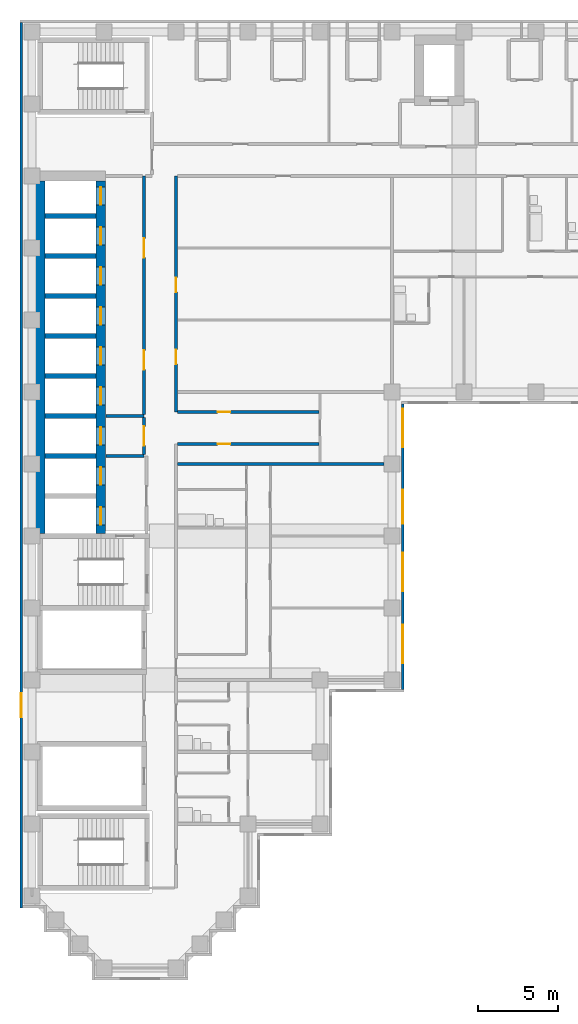
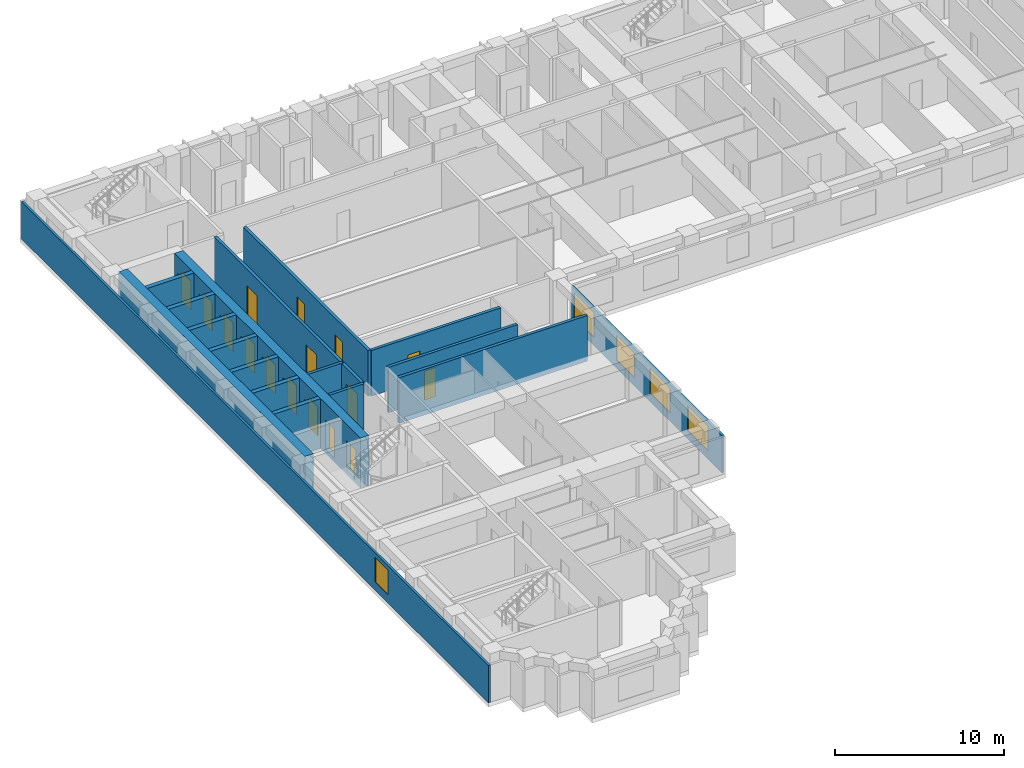
# One storey, part 4 of 12: 19 walls, 16 doors, 5 windows, 21 openings.
"""IFC4 building model written with IfcOpenShell, lengths in metres."""

import ifcopenshell
import ifcopenshell.guid

model = None  # the IFC model being written
_history = None  # IfcOwnerHistory: only IFC2X3 demands one
_inside = {}  # id of a spatial element -> (the spatial element, [elements in it])
_under = {}  # id of a project, library or spatial element -> (it, [spatial elements below it])
_declared = {}  # id of a project -> (the project, [libraries it declares])
_typed = {}  # id of a type object -> (the type object, [elements of that type])
_made_of = {}  # id of a material, layer set ... -> (it, [elements and type objects made of it])


def new_model(schema):
    """Start an empty IFC model of exactly this schema.

    Asked for "IFC4X3", IfcOpenShell would pick the latest addendum, in which some entities
    have other attributes; the version numbers below select the first issue.
    IFC2X3 requires an IfcOwnerHistory on every rooted entity: one is made here for all.
    """
    global model, _history
    if schema == "IFC4X3":
        model = ifcopenshell.file(schema_version=(4, 3, 0, 0))
    else:
        model = ifcopenshell.file(schema=schema)
    _inside.clear()
    _under.clear()
    _declared.clear()
    _typed.clear()
    _made_of.clear()
    _history = None
    if model.schema == "IFC2X3":
        org = make("IfcOrganization", Name="unknown")
        user = make(
            "IfcPersonAndOrganization",
            ThePerson=make("IfcPerson", FamilyName="unknown"),
            TheOrganization=org,
        )
        app = make(
            "IfcApplication",
            ApplicationDeveloper=org,
            Version="unknown",
            ApplicationFullName="unknown",
            ApplicationIdentifier="unknown",
        )
        _history = make(
            "IfcOwnerHistory",
            OwningUser=user,
            OwningApplication=app,
            ChangeAction="ADDED",
            CreationDate=0,
        )
    return model


def make(cls, **values):
    """One entity of the class cls with the attributes given. An attribute that is None is left unset."""
    return model.create_entity(
        cls, **{name: value for name, value in values.items() if value is not None}
    )


def rooted(cls, **values):
    """An entity with a GlobalId (a new one), such as an element, a storey or a relation."""
    return make(cls, GlobalId=ifcopenshell.guid.new(), OwnerHistory=_history, **values)


def si_unit(unit_type, name, prefix=None):
    """IfcSIUnit, for example si_unit("LENGTHUNIT", "METRE", prefix="MILLI")."""
    return make("IfcSIUnit", UnitType=unit_type, Prefix=prefix, Name=name)


def assignment(units):
    """IfcUnitAssignment: the units of a project."""
    return None if units is None else make("IfcUnitAssignment", Units=units)


def point(xyz):
    """IfcCartesianPoint."""
    return None if xyz is None else make("IfcCartesianPoint", Coordinates=xyz)


def direction(xyz):
    """IfcDirection."""
    return None if xyz is None else make("IfcDirection", DirectionRatios=xyz)


def frame(location, z_axis=None, x_axis=None):
    """IfcAxis2Placement3D, a coordinate frame: its origin and axes. An axis left out is left unset."""
    return make(
        "IfcAxis2Placement3D",
        Location=point(location),
        Axis=direction(z_axis),
        RefDirection=direction(x_axis),
    )


def frame_2d(location, x_axis=None):
    """IfcAxis2Placement2D, a coordinate frame in the plane: its origin and x axis."""
    return make(
        "IfcAxis2Placement2D", Location=point(location), RefDirection=direction(x_axis)
    )


def origin():
    """The frame at (0, 0, 0) with its axes left unset."""
    return frame((0.0, 0.0, 0.0))


def place(relative_to, where):
    """IfcLocalPlacement: puts the frame where relative to a parent placement (None: the world)."""
    return make(
        "IfcLocalPlacement", PlacementRelTo=relative_to, RelativePlacement=where
    )


def context(
    kind, dimensions, precision=None, world=None, true_north=None, identifier=None
):
    """IfcGeometricRepresentationContext, for example the 3D "Model" context."""
    return make(
        "IfcGeometricRepresentationContext",
        ContextIdentifier=identifier,
        ContextType=kind,
        CoordinateSpaceDimension=dimensions,
        Precision=precision,
        WorldCoordinateSystem=world,
        TrueNorth=true_north,
    )


def subcontext(parent, identifier, kind, view, scale=None):
    """IfcGeometricRepresentationSubContext, for example "Body" below "Model"."""
    return make(
        "IfcGeometricRepresentationSubContext",
        ContextIdentifier=identifier,
        ContextType=kind,
        ParentContext=parent,
        TargetScale=scale,
        TargetView=view,
    )


def project(units=None, contexts=None):
    """IfcProject with its units and contexts."""
    return rooted(
        "IfcProject",
        Name="project",
        RepresentationContexts=contexts,
        UnitsInContext=assignment(units),
    )


def spatial(cls, under=None, at=None, **own):
    """A site, building, storey or space (cls), placed at a placement, below another one or the project."""
    s = rooted(cls, ObjectPlacement=at, **own)
    if under is not None:
        _under.setdefault(under.id(), (under, []))[1].append(s)
    return s


def profile(cls, at=None, kind="AREA", **sizes):
    """A parametric profile (cls). Its sizes go by their IFC names, for example OverallWidth=200.0."""
    return make(cls, ProfileType=kind, Position=at, **sizes)


def rectangle(**sizes):
    """IfcRectangleProfileDef."""
    return profile("IfcRectangleProfileDef", **sizes)


def extrude(swept, where, along, depth):
    """IfcExtrudedAreaSolid: the profile swept, set in the frame where, extruded along a direction by depth."""
    return make(
        "IfcExtrudedAreaSolid",
        SweptArea=swept,
        Position=where,
        ExtrudedDirection=direction(along),
        Depth=depth,
    )


def shape(context_of_items, identifier, shape_type, items):
    """IfcShapeRepresentation: the items that make up one representation, for example the "Body"."""
    return make(
        "IfcShapeRepresentation",
        ContextOfItems=context_of_items,
        RepresentationIdentifier=identifier,
        RepresentationType=shape_type,
        Items=items,
    )


def material(Name=None, Category=None):
    """IfcMaterial."""
    return make("IfcMaterial", Name=Name, Category=Category)


def layer(
    of_material, thickness, ventilated=None, Name=None, Category=None, Priority=None
):
    """IfcMaterialLayer: one layer of a wall or slab, of a material (None: an air gap)."""
    return make(
        "IfcMaterialLayer",
        Material=of_material,
        LayerThickness=thickness,
        IsVentilated=ventilated,
        Name=Name,
        Category=Category,
        Priority=Priority,
    )


def layer_set(layers, Name=None):
    """IfcMaterialLayerSet."""
    return make("IfcMaterialLayerSet", MaterialLayers=layers, LayerSetName=Name)


def made_of(thing, what):
    """Note that an element or type object is made of a material, layer set ...; save() writes the relation."""
    if what is not None:
        _made_of.setdefault(what.id(), (what, []))[1].append(thing)
    return thing


def type_object(cls, material=None, **own):
    """A type object (cls), such as IfcWallType, which elements share."""
    return made_of(rooted(cls, **own), material)


def element(
    cls,
    number,
    at=None,
    inside=None,
    cuts=None,
    type_object=None,
    material=None,
    context=None,
    identifier="Body",
    shape_type=None,
    held_by="IfcProductDefinitionShape",
    body=None,
    shapes=None,
    **own,
):
    """One element of the class cls, such as IfcWall. Its Tag is "e" and its number.

    at: its placement. inside: the storey or other place that contains it. cuts: it is an
    opening in that element (IfcRelVoidsElement). A single representation is given by context,
    identifier, shape_type and body (its items); several are given by shapes. held_by: the class
    of the entity that holds the representations. save() writes the other relations.
    """
    e = rooted(cls, Tag="e%d" % number, ObjectPlacement=at, **own)
    if body is not None:
        shapes = [shape(context, identifier, shape_type, body)]
    if shapes is not None:
        e.Representation = make(held_by, Representations=shapes)
    if inside is not None:
        _inside.setdefault(inside.id(), (inside, []))[1].append(e)
    if cuts is not None:
        rooted(
            "IfcRelVoidsElement", RelatingBuildingElement=cuts, RelatedOpeningElement=e
        )
    if type_object is not None:
        _typed.setdefault(type_object.id(), (type_object, []))[1].append(e)
    return made_of(e, material)


def fill(opening, filler):
    """IfcRelFillsElement: the door or window that sits in an opening."""
    return rooted(
        "IfcRelFillsElement",
        RelatingOpeningElement=opening,
        RelatedBuildingElement=filler,
    )


def aggregate(whole, parts):
    """IfcRelAggregates: a whole, such as a stair, and the parts it consists of."""
    return rooted("IfcRelAggregates", RelatingObject=whole, RelatedObjects=parts)


def save(model, path):
    """Write the relations noted so far, then the file.

    IfcRelAggregates (storeys below a building ...), IfcRelContainedInSpatialStructure (elements
    in a storey), IfcRelDefinesByType, IfcRelAssociatesMaterial and IfcRelDeclares: one each for
    every whole, place, type object, material and project.
    """
    for whole, parts in _under.values():
        aggregate(whole, parts)
    for where, things in _inside.values():
        rooted(
            "IfcRelContainedInSpatialStructure",
            RelatedElements=things,
            RelatingStructure=where,
        )
    for kind, things in _typed.values():
        rooted("IfcRelDefinesByType", RelatedObjects=things, RelatingType=kind)
    for what, things in _made_of.values():
        rooted("IfcRelAssociatesMaterial", RelatedObjects=things, RelatingMaterial=what)
    for by, libraries in _declared.values():
        rooted("IfcRelDeclares", RelatingContext=by, RelatedDefinitions=libraries)
    model.write(path)


model = new_model("IFC4")

# Units and contexts
model_context = context("Model", 3, precision=1e-05, world=origin(), true_north=direction((0.0, 1.0)))
body_context = subcontext(model_context, "Body", "Model", "MODEL_VIEW")
ifc_project = project(units=[si_unit("LENGTHUNIT", "METRE"), si_unit("AREAUNIT", "SQUARE_METRE"), si_unit("VOLUMEUNIT", "CUBIC_METRE"), si_unit("PLANEANGLEUNIT", "RADIAN"), si_unit("MASSUNIT", "GRAM", prefix="KILO")], contexts=[model_context])

# Site, building, storey
site_placement = place(None, origin())
site = spatial("IfcSite", under=ifc_project, at=site_placement, CompositionType="ELEMENT")
building_placement = place(site_placement, origin())
building = spatial("IfcBuilding", under=site, at=building_placement, Name="Firuza Court", CompositionType="ELEMENT")
storey_placement = place(building_placement, frame((0.0, 0.0, 166.39990234375)))
storey = spatial("IfcBuildingStorey", under=building, at=storey_placement, Name="L42", CompositionType="ELEMENT", Elevation=166.39990234375)

# Walls
ifc_material_1 = material(Name="Concrete C60/75", Category="concrete")
ifc_layer_1 = layer(ifc_material_1, 0.300048828125)
ifc_layer_set_1 = layer_set([ifc_layer_1], Name="Concrete C60/75")
wall_type_1 = type_object("IfcWallType", Name="Core wall 300 C60/75", PredefinedType="SHEAR", material=ifc_layer_set_1)
for number, where, z_axis, x_axis, name in (
    (1, (0.800048828125, 32.0, -0.2998046875), (0.0, 0.0, 1.0), (1.0, 0.0, 0.0), "Core wall lift shaft L42"),
    (2, (0.800048828125, 34.5, -0.2998046875), (0.0, 0.0, 1.0), (1.0, 0.0, 0.0), "Core wall lift shaft L42"),
    (3, (0.800048828125, 37.0, -0.2998046875), (0.0, 0.0, 1.0), (1.0, 0.0, 0.0), "Core wall lift shaft L42"),
    (4, (0.800048828125, 39.5, -0.2998046875), (0.0, 0.0, 1.0), (1.0, 0.0, 0.0), "Core wall lift shaft L42"),
    (5, (0.800048828125, 42.0, -0.2998046875), (0.0, 0.0, 1.0), (1.0, 0.0, 0.0), "Core wall lift shaft L42"),
    (6, (0.800048828125, 44.5, -0.2998046875), (0.0, 0.0, 1.0), (1.0, 0.0, 0.0), "Core wall lift shaft L42"),
    (7, (0.800048828125, 47.0, -0.2998046875), (0.0, 0.0, 1.0), (1.0, 0.0, 0.0), "Core wall lift shaft L42"),
):
    element("IfcWall", number, at=place(storey_placement, frame(where, z_axis=z_axis, x_axis=x_axis)), inside=storey, type_object=wall_type_1, Name=name, PredefinedType="SHEAR", context=body_context, shape_type="SweptSolid", body=[
        extrude(rectangle(XDim=3.199951171875, YDim=0.300048828125, at=frame_2d((1.60009765625, 0.0))), origin(), (0.0, 0.0, 1.0), 3.599853515625),
    ])
ifc_layer_2 = layer(ifc_material_1, 0.60009765625)
ifc_layer_set_2 = layer_set([ifc_layer_2], Name="Concrete C60/75")
wall_type_2 = type_object("IfcWallType", Name="Core wall 600 C60/75", PredefinedType="SHEAR", material=ifc_layer_set_2)
wall_1_placement = place(storey_placement, frame((0.5, 27.14990234375, -0.2998046875), z_axis=(0.0, 0.0, 1.0), x_axis=(0.0, 1.0, 0.0)))
element("IfcWall", 8, at=wall_1_placement, inside=storey, type_object=wall_type_2, Name="Core wall lift shaft L42", PredefinedType="SHEAR", context=body_context, shape_type="SweptSolid", body=[
    extrude(rectangle(XDim=22.050048828125, YDim=0.60009765625, at=frame_2d((11.02490234375, 0.0))), origin(), (0.0, 0.0, 1.0), 3.599853515625),
])

# Wall, openings, doors
wall_2_placement = place(storey_placement, frame((4.300048828125, 27.14990234375, -0.2998046875), z_axis=(0.0, 0.0, 1.0), x_axis=(0.0, 1.0, 0.0)))
wall_2 = element("IfcWall", 9, at=wall_2_placement, inside=storey, type_object=wall_type_2, Name="Core wall lift shaft L42", PredefinedType="SHEAR", context=body_context, shape_type="SweptSolid", body=[
    extrude(rectangle(XDim=22.050048828125, YDim=0.60009765625, at=frame_2d((11.02490234375, 0.0))), origin(), (0.0, 0.0, 1.0), 3.599853515625),
])
opening_1_placement = place(wall_2_placement, frame((3.050048828125, 0.0, 0.300048828125)))
opening_1 = element("IfcOpeningElement", 10, at=opening_1_placement, cuts=wall_2, Name="Opening LD-FL1-42", PredefinedType="OPENING", context=body_context, shape_type="SweptSolid", body=[
    extrude(rectangle(XDim=1.10009765625, YDim=2.10009765625, at=frame_2d((0.550048828125, 1.050048828125))), frame((0.0, 0.31201171875, 0.0), z_axis=(0.0, -1.0, 0.0), x_axis=(1.0, 0.0, 0.0)), (0.0, 0.0, 1.0), 0.6240234375),
])
opening_2_placement = place(wall_2_placement, frame((0.550048828125, 0.0, 0.300048828125)))
opening_2 = element("IfcOpeningElement", 11, at=opening_2_placement, cuts=wall_2, Name="Opening LD-FL2-42", PredefinedType="OPENING", context=body_context, shape_type="SweptSolid", body=[
    extrude(rectangle(XDim=1.10009765625, YDim=2.10009765625, at=frame_2d((0.550048828125, 1.050048828125))), frame((0.0, 0.31201171875, 0.0), z_axis=(0.0, -1.0, 0.0), x_axis=(1.0, 0.0, 0.0)), (0.0, 0.0, 1.0), 0.6240234375),
])
opening_3_placement = place(wall_2_placement, frame((20.550048828125, 0.0, 0.300048828125)))
opening_3 = element("IfcOpeningElement", 12, at=opening_3_placement, cuts=wall_2, Name="Opening LD-HB1-42", PredefinedType="OPENING", context=body_context, shape_type="SweptSolid", body=[
    extrude(rectangle(XDim=1.10009765625, YDim=2.10009765625, at=frame_2d((0.550048828125, 1.050048828125))), frame((0.0, 0.31201171875, 0.0), z_axis=(0.0, -1.0, 0.0), x_axis=(1.0, 0.0, 0.0)), (0.0, 0.0, 1.0), 0.6240234375),
])
opening_4_placement = place(wall_2_placement, frame((18.050048828125, 0.0, 0.300048828125)))
opening_4 = element("IfcOpeningElement", 13, at=opening_4_placement, cuts=wall_2, Name="Opening LD-HB2-42", PredefinedType="OPENING", context=body_context, shape_type="SweptSolid", body=[
    extrude(rectangle(XDim=1.10009765625, YDim=2.10009765625, at=frame_2d((0.550048828125, 1.050048828125))), frame((0.0, 0.31201171875, 0.0), z_axis=(0.0, -1.0, 0.0), x_axis=(1.0, 0.0, 0.0)), (0.0, 0.0, 1.0), 0.6240234375),
])
opening_5_placement = place(wall_2_placement, frame((15.550048828125, 0.0, 0.300048828125)))
opening_5 = element("IfcOpeningElement", 14, at=opening_5_placement, cuts=wall_2, Name="Opening LD-HB3-42", PredefinedType="OPENING", context=body_context, shape_type="SweptSolid", body=[
    extrude(rectangle(XDim=1.10009765625, YDim=2.10009765625, at=frame_2d((0.550048828125, 1.050048828125))), frame((0.0, 0.31201171875, 0.0), z_axis=(0.0, -1.0, 0.0), x_axis=(1.0, 0.0, 0.0)), (0.0, 0.0, 1.0), 0.6240234375),
])
opening_6_placement = place(wall_2_placement, frame((13.050048828125, 0.0, 0.300048828125)))
opening_6 = element("IfcOpeningElement", 15, at=opening_6_placement, cuts=wall_2, Name="Opening LD-HB4-42", PredefinedType="OPENING", context=body_context, shape_type="SweptSolid", body=[
    extrude(rectangle(XDim=1.10009765625, YDim=2.10009765625, at=frame_2d((0.550048828125, 1.050048828125))), frame((0.0, 0.31201171875, 0.0), z_axis=(0.0, -1.0, 0.0), x_axis=(1.0, 0.0, 0.0)), (0.0, 0.0, 1.0), 0.6240234375),
])
opening_7_placement = place(wall_2_placement, frame((10.550048828125, 0.0, 0.300048828125)))
opening_7 = element("IfcOpeningElement", 16, at=opening_7_placement, cuts=wall_2, Name="Opening LD-HB5-42", PredefinedType="OPENING", context=body_context, shape_type="SweptSolid", body=[
    extrude(rectangle(XDim=1.10009765625, YDim=2.10009765625, at=frame_2d((0.550048828125, 1.050048828125))), frame((0.0, 0.31201171875, 0.0), z_axis=(0.0, -1.0, 0.0), x_axis=(1.0, 0.0, 0.0)), (0.0, 0.0, 1.0), 0.6240234375),
])
opening_8_placement = place(wall_2_placement, frame((8.050048828125, 0.0, 0.300048828125)))
opening_8 = element("IfcOpeningElement", 17, at=opening_8_placement, cuts=wall_2, Name="Opening LD-HB6-42", PredefinedType="OPENING", context=body_context, shape_type="SweptSolid", body=[
    extrude(rectangle(XDim=1.10009765625, YDim=2.10009765625, at=frame_2d((0.550048828125, 1.050048828125))), frame((0.0, 0.31201171875, 0.0), z_axis=(0.0, -1.0, 0.0), x_axis=(1.0, 0.0, 0.0)), (0.0, 0.0, 1.0), 0.6240234375),
])
opening_9_placement = place(wall_2_placement, frame((5.550048828125, 0.0, 0.300048828125)))
opening_9 = element("IfcOpeningElement", 18, at=opening_9_placement, cuts=wall_2, Name="Opening LD-SL1-42", PredefinedType="OPENING", context=body_context, shape_type="SweptSolid", body=[
    extrude(rectangle(XDim=1.10009765625, YDim=2.10009765625, at=frame_2d((0.550048828125, 1.050048828125))), frame((0.0, 0.31201171875, 0.0), z_axis=(0.0, -1.0, 0.0), x_axis=(1.0, 0.0, 0.0)), (0.0, 0.0, 1.0), 0.6240234375),
])
ifc_material_2 = material(Name="Stainless steel 1.4301 door leaf", Category="steel")
door_type_1 = type_object("IfcDoorType", Name="Lift landing door 1100", OperationType="SLIDING_TO_LEFT", PredefinedType="DOOR", material=ifc_material_2)
door_1_placement = place(opening_1_placement, origin())
door_1 = element("IfcDoor", 19, at=door_1_placement, inside=storey, type_object=door_type_1, Name="Landing door FL1", OperationType="SLIDING_TO_LEFT", OverallHeight=2.10009765625, OverallWidth=1.10009765625, PredefinedType="DOOR", context=body_context, shape_type="SweptSolid", body=[
    extrude(rectangle(XDim=1.10009765625, YDim=2.10009765625, at=frame_2d((0.550048828125, 1.050048828125))), frame((0.0, 0.02490234375, 0.0), z_axis=(0.0, -1.0, 0.0), x_axis=(1.0, 0.0, 0.0)), (0.0, 0.0, 1.0), 0.050048828125),
])
fill(opening_1, door_1)
door_2_placement = place(opening_2_placement, origin())
door_2 = element("IfcDoor", 20, at=door_2_placement, inside=storey, type_object=door_type_1, Name="Landing door FL2", OperationType="SLIDING_TO_LEFT", OverallHeight=2.10009765625, OverallWidth=1.10009765625, PredefinedType="DOOR", context=body_context, shape_type="SweptSolid", body=[
    extrude(rectangle(XDim=1.10009765625, YDim=2.10009765625, at=frame_2d((0.550048828125, 1.050048828125))), frame((0.0, 0.02490234375, 0.0), z_axis=(0.0, -1.0, 0.0), x_axis=(1.0, 0.0, 0.0)), (0.0, 0.0, 1.0), 0.050048828125),
])
fill(opening_2, door_2)
door_3_placement = place(opening_3_placement, origin())
door_3 = element("IfcDoor", 21, at=door_3_placement, inside=storey, type_object=door_type_1, Name="Landing door HB1", OperationType="SLIDING_TO_LEFT", OverallHeight=2.10009765625, OverallWidth=1.10009765625, PredefinedType="DOOR", context=body_context, shape_type="SweptSolid", body=[
    extrude(rectangle(XDim=1.10009765625, YDim=2.10009765625, at=frame_2d((0.550048828125, 1.050048828125))), frame((0.0, 0.02490234375, 0.0), z_axis=(0.0, -1.0, 0.0), x_axis=(1.0, 0.0, 0.0)), (0.0, 0.0, 1.0), 0.050048828125),
])
fill(opening_3, door_3)
door_4_placement = place(opening_4_placement, origin())
door_4 = element("IfcDoor", 22, at=door_4_placement, inside=storey, type_object=door_type_1, Name="Landing door HB2", OperationType="SLIDING_TO_LEFT", OverallHeight=2.10009765625, OverallWidth=1.10009765625, PredefinedType="DOOR", context=body_context, shape_type="SweptSolid", body=[
    extrude(rectangle(XDim=1.10009765625, YDim=2.10009765625, at=frame_2d((0.550048828125, 1.050048828125))), frame((0.0, 0.02490234375, 0.0), z_axis=(0.0, -1.0, 0.0), x_axis=(1.0, 0.0, 0.0)), (0.0, 0.0, 1.0), 0.050048828125),
])
fill(opening_4, door_4)
door_5_placement = place(opening_5_placement, origin())
door_5 = element("IfcDoor", 23, at=door_5_placement, inside=storey, type_object=door_type_1, Name="Landing door HB3", OperationType="SLIDING_TO_LEFT", OverallHeight=2.10009765625, OverallWidth=1.10009765625, PredefinedType="DOOR", context=body_context, shape_type="SweptSolid", body=[
    extrude(rectangle(XDim=1.10009765625, YDim=2.10009765625, at=frame_2d((0.550048828125, 1.050048828125))), frame((0.0, 0.02490234375, 0.0), z_axis=(0.0, -1.0, 0.0), x_axis=(1.0, 0.0, 0.0)), (0.0, 0.0, 1.0), 0.050048828125),
])
fill(opening_5, door_5)
door_6_placement = place(opening_6_placement, origin())
door_6 = element("IfcDoor", 24, at=door_6_placement, inside=storey, type_object=door_type_1, Name="Landing door HB4", OperationType="SLIDING_TO_LEFT", OverallHeight=2.10009765625, OverallWidth=1.10009765625, PredefinedType="DOOR", context=body_context, shape_type="SweptSolid", body=[
    extrude(rectangle(XDim=1.10009765625, YDim=2.10009765625, at=frame_2d((0.550048828125, 1.050048828125))), frame((0.0, 0.02490234375, 0.0), z_axis=(0.0, -1.0, 0.0), x_axis=(1.0, 0.0, 0.0)), (0.0, 0.0, 1.0), 0.050048828125),
])
fill(opening_6, door_6)
door_7_placement = place(opening_7_placement, origin())
door_7 = element("IfcDoor", 25, at=door_7_placement, inside=storey, type_object=door_type_1, Name="Landing door HB5", OperationType="SLIDING_TO_LEFT", OverallHeight=2.10009765625, OverallWidth=1.10009765625, PredefinedType="DOOR", context=body_context, shape_type="SweptSolid", body=[
    extrude(rectangle(XDim=1.10009765625, YDim=2.10009765625, at=frame_2d((0.550048828125, 1.050048828125))), frame((0.0, 0.02490234375, 0.0), z_axis=(0.0, -1.0, 0.0), x_axis=(1.0, 0.0, 0.0)), (0.0, 0.0, 1.0), 0.050048828125),
])
fill(opening_7, door_7)
door_8_placement = place(opening_8_placement, origin())
door_8 = element("IfcDoor", 26, at=door_8_placement, inside=storey, type_object=door_type_1, Name="Landing door HB6", OperationType="SLIDING_TO_LEFT", OverallHeight=2.10009765625, OverallWidth=1.10009765625, PredefinedType="DOOR", context=body_context, shape_type="SweptSolid", body=[
    extrude(rectangle(XDim=1.10009765625, YDim=2.10009765625, at=frame_2d((0.550048828125, 1.050048828125))), frame((0.0, 0.02490234375, 0.0), z_axis=(0.0, -1.0, 0.0), x_axis=(1.0, 0.0, 0.0)), (0.0, 0.0, 1.0), 0.050048828125),
])
fill(opening_8, door_8)
door_9_placement = place(opening_9_placement, origin())
door_9 = element("IfcDoor", 27, at=door_9_placement, inside=storey, type_object=door_type_1, Name="Landing door SL1", OperationType="SLIDING_TO_LEFT", OverallHeight=2.10009765625, OverallWidth=1.10009765625, PredefinedType="DOOR", context=body_context, shape_type="SweptSolid", body=[
    extrude(rectangle(XDim=1.10009765625, YDim=2.10009765625, at=frame_2d((0.550048828125, 1.050048828125))), frame((0.0, 0.02490234375, 0.0), z_axis=(0.0, -1.0, 0.0), x_axis=(1.0, 0.0, 0.0)), (0.0, 0.0, 1.0), 0.050048828125),
])
fill(opening_9, door_9)

# Wall, opening, door
ifc_material_3 = material(Name="Blockwork, plastered both sides", Category="masonry")
ifc_layer_3 = layer(ifc_material_3, 0.199951171875)
ifc_layer_set_3 = layer_set([ifc_layer_3], Name="Blockwork, plastered both sides")
wall_type_3 = type_object("IfcWallType", Name="Corridor wall 200", PredefinedType="PARTITIONING", material=ifc_layer_set_3)
wall_3_placement = place(storey_placement, frame((9.10009765625, 32.75, 0.0), z_axis=(0.0, 0.0, 1.0), x_axis=(1.0, 0.0, 0.0)))
wall_3 = element("IfcWall", 28, at=wall_3_placement, inside=storey, type_object=wall_type_3, Name="Corridor wall 200 L42", PredefinedType="PARTITIONING", context=body_context, shape_type="SweptSolid", body=[
    extrude(rectangle(XDim=8.849853515625, YDim=0.199951171875, at=frame_2d((4.4248046875, 0.0))), origin(), (0.0, 0.0, 1.0), 3.300048828125),
])
opening_10_placement = place(wall_3_placement, frame((2.5, 0.0, 0.0)))
opening_10 = element("IfcOpeningElement", 29, at=opening_10_placement, cuts=wall_3, Name="Opening D42036", PredefinedType="OPENING", context=body_context, shape_type="SweptSolid", body=[
    extrude(rectangle(XDim=0.800048828125, YDim=2.10009765625, at=frame_2d((0.39990234375, 1.050048828125))), frame((0.0, 0.11181640625, 0.0), z_axis=(0.0, -1.0, 0.0), x_axis=(1.0, 0.0, 0.0)), (0.0, 0.0, 1.0), 0.223876953125),
])
ifc_material_4 = material(Name="Timber door leaf in hardwood frame", Category="wood")
door_type_2 = type_object("IfcDoorType", Name="Room door 800 EI 30", OperationType="SINGLE_SWING_LEFT", PredefinedType="DOOR", material=ifc_material_4)
door_10_placement = place(opening_10_placement, frame((0.800048828125, 0.0, 0.0), z_axis=(0.0, 0.0, 1.0), x_axis=(-1.0, 0.0, 0.0)))
door_10 = element("IfcDoor", 30, at=door_10_placement, inside=storey, type_object=door_type_2, Name="Store door", OperationType="SINGLE_SWING_RIGHT", OverallHeight=2.10009765625, OverallWidth=0.800048828125, PredefinedType="DOOR", context=body_context, shape_type="SweptSolid", body=[
    extrude(rectangle(XDim=0.800048828125, YDim=2.10009765625, at=frame_2d((0.39990234375, 1.050048828125))), frame((0.0, 0.02490234375, 0.0), z_axis=(0.0, -1.0, 0.0), x_axis=(1.0, 0.0, 0.0)), (0.0, 0.0, 1.0), 0.050048828125),
])
fill(opening_10, door_10)

# Wall, openings, doors
wall_4_placement = place(storey_placement, frame((9.0, 34.75, 0.0), z_axis=(0.0, 0.0, 1.0), x_axis=(0.0, 1.0, 0.0)))
wall_4 = element("IfcWall", 31, at=wall_4_placement, inside=storey, type_object=wall_type_3, Name="Corridor wall 200 L42", PredefinedType="PARTITIONING", context=body_context, shape_type="SweptSolid", body=[
    extrude(rectangle(XDim=14.75, YDim=0.199951171875, at=frame_2d((7.375, 0.0))), origin(), (0.0, 0.0, 1.0), 3.300048828125),
])
opening_11_placement = place(wall_4_placement, frame((3.0, 0.0, 0.0)))
opening_11 = element("IfcOpeningElement", 32, at=opening_11_placement, cuts=wall_4, Name="Opening D42037", PredefinedType="OPENING", context=body_context, shape_type="SweptSolid", body=[
    extrude(rectangle(XDim=0.89990234375, YDim=2.10009765625, at=frame_2d((0.449951171875, 1.050048828125))), frame((0.0, 0.11181640625, 0.0), z_axis=(0.0, -1.0, 0.0), x_axis=(1.0, 0.0, 0.0)), (0.0, 0.0, 1.0), 0.223876953125),
])
opening_12_placement = place(wall_4_placement, frame((7.5, 0.0, 0.0)))
opening_12 = element("IfcOpeningElement", 33, at=opening_12_placement, cuts=wall_4, Name="Opening D42038", PredefinedType="OPENING", context=body_context, shape_type="SweptSolid", body=[
    extrude(rectangle(XDim=0.89990234375, YDim=2.10009765625, at=frame_2d((0.449951171875, 1.050048828125))), frame((0.0, 0.11181640625, 0.0), z_axis=(0.0, -1.0, 0.0), x_axis=(1.0, 0.0, 0.0)), (0.0, 0.0, 1.0), 0.223876953125),
])
ifc_material_5 = material(Name="Timber door leaf in hardwood frame", Category="wood")
door_type_3 = type_object("IfcDoorType", Name="Room door 900 EI 30", OperationType="SINGLE_SWING_LEFT", PredefinedType="DOOR", material=ifc_material_5)
door_11_placement = place(opening_11_placement, frame((0.89990234375, 0.0, 0.0), z_axis=(0.0, 0.0, 1.0), x_axis=(-1.0, 0.0, 0.0)))
door_11 = element("IfcDoor", 34, at=door_11_placement, inside=storey, type_object=door_type_3, Name="Meeting room door", OperationType="SINGLE_SWING_RIGHT", OverallHeight=2.10009765625, OverallWidth=0.89990234375, PredefinedType="DOOR", context=body_context, shape_type="SweptSolid", body=[
    extrude(rectangle(XDim=0.89990234375, YDim=2.10009765625, at=frame_2d((0.449951171875, 1.050048828125))), frame((0.0, 0.02490234375, 0.0), z_axis=(0.0, -1.0, 0.0), x_axis=(1.0, 0.0, 0.0)), (0.0, 0.0, 1.0), 0.050048828125),
])
fill(opening_11, door_11)
door_12_placement = place(opening_12_placement, origin())
door_12 = element("IfcDoor", 35, at=door_12_placement, inside=storey, type_object=door_type_3, Name="Cinema room door", OperationType="SINGLE_SWING_LEFT", OverallHeight=2.10009765625, OverallWidth=0.89990234375, PredefinedType="DOOR", context=body_context, shape_type="SweptSolid", body=[
    extrude(rectangle(XDim=0.89990234375, YDim=2.10009765625, at=frame_2d((0.449951171875, 1.050048828125))), frame((0.0, 0.02490234375, 0.0), z_axis=(0.0, -1.0, 0.0), x_axis=(1.0, 0.0, 0.0)), (0.0, 0.0, 1.0), 0.050048828125),
])
fill(opening_12, door_12)

# Wall, opening, door
wall_5_placement = place(storey_placement, frame((9.10009765625, 34.75, 0.0), z_axis=(0.0, 0.0, 1.0), x_axis=(1.0, 0.0, 0.0)))
wall_5 = element("IfcWall", 36, at=wall_5_placement, inside=storey, type_object=wall_type_3, Name="Corridor wall 200 L42", PredefinedType="PARTITIONING", context=body_context, shape_type="SweptSolid", body=[
    extrude(rectangle(XDim=8.849853515625, YDim=0.199951171875, at=frame_2d((4.4248046875, 0.0))), origin(), (0.0, 0.0, 1.0), 3.300048828125),
])
opening_13_placement = place(wall_5_placement, frame((2.5, 0.0, 0.0)))
opening_13 = element("IfcOpeningElement", 37, at=opening_13_placement, cuts=wall_5, Name="Opening D42039", PredefinedType="OPENING", context=body_context, shape_type="SweptSolid", body=[
    extrude(rectangle(XDim=0.800048828125, YDim=2.10009765625, at=frame_2d((0.39990234375, 1.050048828125))), frame((0.0, 0.11181640625, 0.0), z_axis=(0.0, -1.0, 0.0), x_axis=(1.0, 0.0, 0.0)), (0.0, 0.0, 1.0), 0.223876953125),
])
door_13_placement = place(opening_13_placement, origin())
door_13 = element("IfcDoor", 38, at=door_13_placement, inside=storey, type_object=door_type_2, Name="Store door", OperationType="SINGLE_SWING_LEFT", OverallHeight=2.10009765625, OverallWidth=0.800048828125, PredefinedType="DOOR", context=body_context, shape_type="SweptSolid", body=[
    extrude(rectangle(XDim=0.800048828125, YDim=2.10009765625, at=frame_2d((0.39990234375, 1.050048828125))), frame((0.0, 0.02490234375, 0.0), z_axis=(0.0, -1.0, 0.0), x_axis=(1.0, 0.0, 0.0)), (0.0, 0.0, 1.0), 0.050048828125),
])
fill(opening_13, door_13)

# Wall
ifc_layer_4 = layer(ifc_material_3, 0.199951171875)
ifc_layer_set_4 = layer_set([ifc_layer_4], Name="Blockwork, plastered both sides")
wall_type_4 = type_object("IfcWallType", Name="Party wall 200", PredefinedType="PARTITIONING", material=ifc_layer_set_4)
wall_6_placement = place(storey_placement, frame((9.10009765625, 31.5, 0.0), z_axis=(0.0, 0.0, 1.0), x_axis=(1.0, 0.0, 0.0)))
element("IfcWall", 39, at=wall_6_placement, inside=storey, type_object=wall_type_4, Name="Party wall 200 L42", PredefinedType="PARTITIONING", context=body_context, shape_type="SweptSolid", body=[
    extrude(rectangle(XDim=12.89990234375, YDim=0.199951171875, at=frame_2d((6.449951171875, 0.0))), origin(), (0.0, 0.0, 1.0), 3.300048828125),
])

# Wall, openings, windows
ifc_material_6 = material(Name="Ceramic tile", Category="ceramic")
ifc_layer_5 = layer(ifc_material_6, 0.02001953125)
ifc_material_7 = material(Name="Mineral wool insulation", Category="insulation")
ifc_layer_6 = layer(ifc_material_7, 0.050048828125)
ifc_material_8 = material(Name="Concrete C40/50 precast", Category="concrete")
ifc_layer_7 = layer(ifc_material_8, 0.080078125)
ifc_layer_set_5 = layer_set([ifc_layer_5, ifc_layer_6, ifc_layer_7], Name="Concrete C40/50 precast")
wall_type_5 = type_object("IfcWallType", Name="Precast cladding wall with turquoise TILE PANEL face 150", PredefinedType="STANDARD", material=ifc_layer_set_5)
wall_7_placement = place(storey_placement, frame((23.175048828125, 17.39990234375, 0.0), z_axis=(0.0, 0.0, 1.0), x_axis=(0.0, 1.0, 0.0)))
wall_7 = element("IfcWall", 40, at=wall_7_placement, inside=storey, type_object=wall_type_5, Name="Facade wall L42 E", PredefinedType="STANDARD", context=body_context, shape_type="SweptSolid", body=[
    extrude(rectangle(XDim=17.85009765625, YDim=0.14990234375, at=frame_2d((8.925048828125, 0.0))), origin(), (0.0, 0.0, 1.0), 2.7001953125),
])
opening_14_placement = place(wall_7_placement, frame((1.64990234375, 0.0, 0.60009765625)))
opening_14 = element("IfcOpeningElement", 41, at=opening_14_placement, cuts=wall_7, Name="Opening W1", PredefinedType="OPENING", context=body_context, shape_type="SweptSolid", body=[
    extrude(rectangle(XDim=2.39990234375, YDim=1.800048828125, at=frame_2d((1.199951171875, 0.89990234375))), frame((0.0, 0.0869140625, 0.0), z_axis=(0.0, -1.0, 0.0), x_axis=(1.0, 0.0, 0.0)), (0.0, 0.0, 1.0), 0.173828125),
])
opening_15_placement = place(wall_7_placement, frame((6.14990234375, 0.0, 0.60009765625)))
opening_15 = element("IfcOpeningElement", 42, at=opening_15_placement, cuts=wall_7, Name="Opening W1", PredefinedType="OPENING", context=body_context, shape_type="SweptSolid", body=[
    extrude(rectangle(XDim=2.39990234375, YDim=1.800048828125, at=frame_2d((1.199951171875, 0.89990234375))), frame((0.0, 0.0869140625, 0.0), z_axis=(0.0, -1.0, 0.0), x_axis=(1.0, 0.0, 0.0)), (0.0, 0.0, 1.0), 0.173828125),
])
opening_16_placement = place(wall_7_placement, frame((10.3798828125, 0.0, 0.60009765625)))
opening_16 = element("IfcOpeningElement", 43, at=opening_16_placement, cuts=wall_7, Name="Opening W6", PredefinedType="OPENING", context=body_context, shape_type="SweptSolid", body=[
    extrude(rectangle(XDim=2.10009765625, YDim=1.800048828125, at=frame_2d((1.050048828125, 0.89990234375))), frame((0.0, 0.0869140625, 0.0), z_axis=(0.0, -1.0, 0.0), x_axis=(1.0, 0.0, 0.0)), (0.0, 0.0, 1.0), 0.173828125),
])
opening_17_placement = place(wall_7_placement, frame((15.14990234375, 0.0, 0.60009765625)))
opening_17 = element("IfcOpeningElement", 44, at=opening_17_placement, cuts=wall_7, Name="Opening W1", PredefinedType="OPENING", context=body_context, shape_type="SweptSolid", body=[
    extrude(rectangle(XDim=2.39990234375, YDim=1.800048828125, at=frame_2d((1.199951171875, 0.89990234375))), frame((0.0, 0.0869140625, 0.0), z_axis=(0.0, -1.0, 0.0), x_axis=(1.0, 0.0, 0.0)), (0.0, 0.0, 1.0), 0.173828125),
])
ifc_material_9 = material(Name="Aluminium frame, triple clear glazing", Category="aluminium")
window_type_1 = type_object("IfcWindowType", Name="Window W1 2400 x 1800", PartitioningType="SINGLE_PANEL", PredefinedType="WINDOW", material=ifc_material_9)
window_1_placement = place(opening_14_placement, origin())
window_1 = element("IfcWindow", 45, at=window_1_placement, inside=storey, type_object=window_type_1, Name="Window L42", OverallHeight=1.800048828125, OverallWidth=2.39990234375, PartitioningType="SINGLE_PANEL", PredefinedType="WINDOW", context=body_context, shape_type="SweptSolid", body=[
    extrude(rectangle(XDim=2.39990234375, YDim=1.800048828125, at=frame_2d((1.199951171875, 0.89990234375))), frame((0.0, 0.030029296875, 0.0), z_axis=(0.0, -1.0, 0.0), x_axis=(1.0, 0.0, 0.0)), (0.0, 0.0, 1.0), 0.06005859375),
])
fill(opening_14, window_1)
window_2_placement = place(opening_15_placement, origin())
window_2 = element("IfcWindow", 46, at=window_2_placement, inside=storey, type_object=window_type_1, Name="Window L42", OverallHeight=1.800048828125, OverallWidth=2.39990234375, PartitioningType="SINGLE_PANEL", PredefinedType="WINDOW", context=body_context, shape_type="SweptSolid", body=[
    extrude(rectangle(XDim=2.39990234375, YDim=1.800048828125, at=frame_2d((1.199951171875, 0.89990234375))), frame((0.0, 0.030029296875, 0.0), z_axis=(0.0, -1.0, 0.0), x_axis=(1.0, 0.0, 0.0)), (0.0, 0.0, 1.0), 0.06005859375),
])
fill(opening_15, window_2)
window_3_placement = place(opening_17_placement, origin())
window_3 = element("IfcWindow", 47, at=window_3_placement, inside=storey, type_object=window_type_1, Name="Window L42", OverallHeight=1.800048828125, OverallWidth=2.39990234375, PartitioningType="SINGLE_PANEL", PredefinedType="WINDOW", context=body_context, shape_type="SweptSolid", body=[
    extrude(rectangle(XDim=2.39990234375, YDim=1.800048828125, at=frame_2d((1.199951171875, 0.89990234375))), frame((0.0, 0.030029296875, 0.0), z_axis=(0.0, -1.0, 0.0), x_axis=(1.0, 0.0, 0.0)), (0.0, 0.0, 1.0), 0.06005859375),
])
fill(opening_17, window_3)
ifc_material_10 = material(Name="Aluminium frame, triple clear glazing", Category="aluminium")
window_type_2 = type_object("IfcWindowType", Name="Window W6 2100 x 1800", PartitioningType="SINGLE_PANEL", PredefinedType="WINDOW", material=ifc_material_10)
window_4_placement = place(opening_16_placement, origin())
window_4 = element("IfcWindow", 48, at=window_4_placement, inside=storey, type_object=window_type_2, Name="Window L42", OverallHeight=1.800048828125, OverallWidth=2.10009765625, PartitioningType="SINGLE_PANEL", PredefinedType="WINDOW", context=body_context, shape_type="SweptSolid", body=[
    extrude(rectangle(XDim=2.10009765625, YDim=1.800048828125, at=frame_2d((1.050048828125, 0.89990234375))), frame((0.0, 0.030029296875, 0.0), z_axis=(0.0, -1.0, 0.0), x_axis=(1.0, 0.0, 0.0)), (0.0, 0.0, 1.0), 0.06005859375),
])
fill(opening_16, window_4)

# Wall, opening, window
wall_8_placement = place(storey_placement, frame((-0.675048828125, 59.10009765625, 0.0), z_axis=(0.0, 0.0, 1.0), x_axis=(0.0, -1.0, 0.0)))
wall_8 = element("IfcWall", 49, at=wall_8_placement, inside=storey, type_object=wall_type_5, Name="Facade wall L42 W", PredefinedType="STANDARD", context=body_context, shape_type="SweptSolid", body=[
    extrude(rectangle(XDim=55.35009765625, YDim=0.14990234375, at=frame_2d((27.675048828125, 0.0))), origin(), (0.0, 0.0, 1.0), 2.7001953125),
])
opening_18_placement = place(wall_8_placement, frame((41.930908203125, 0.0, 0.60009765625)))
opening_18 = element("IfcOpeningElement", 50, at=opening_18_placement, cuts=wall_8, Name="Opening W2", PredefinedType="OPENING", context=body_context, shape_type="SweptSolid", body=[
    extrude(rectangle(XDim=1.5, YDim=1.800048828125, at=frame_2d((0.75, 0.89990234375))), frame((0.0, 0.0869140625, 0.0), z_axis=(0.0, -1.0, 0.0), x_axis=(1.0, 0.0, 0.0)), (0.0, 0.0, 1.0), 0.173828125),
])
ifc_material_11 = material(Name="Aluminium frame, triple clear glazing", Category="aluminium")
window_type_3 = type_object("IfcWindowType", Name="Window W2 1500 x 1800", PartitioningType="SINGLE_PANEL", PredefinedType="WINDOW", material=ifc_material_11)
window_5_placement = place(opening_18_placement, origin())
window_5 = element("IfcWindow", 51, at=window_5_placement, inside=storey, type_object=window_type_3, Name="Window L42", OverallHeight=1.800048828125, OverallWidth=1.5, PartitioningType="SINGLE_PANEL", PredefinedType="WINDOW", context=body_context, shape_type="SweptSolid", body=[
    extrude(rectangle(XDim=1.5, YDim=1.800048828125, at=frame_2d((0.75, 0.89990234375))), frame((0.0, 0.030029296875, 0.0), z_axis=(0.0, -1.0, 0.0), x_axis=(1.0, 0.0, 0.0)), (0.0, 0.0, 1.0), 0.06005859375),
])
fill(opening_18, window_5)

# Wall
ifc_material_12 = material(Name="Blockwork, fire-rated", Category="masonry")
ifc_layer_8 = layer(ifc_material_12, 0.199951171875)
ifc_layer_set_6 = layer_set([ifc_layer_8], Name="Blockwork, fire-rated")
wall_type_6 = type_object("IfcWallType", Name="Shaft wall 200", PredefinedType="PARTITIONING", material=ifc_layer_set_6)
wall_9_placement = place(storey_placement, frame((4.6201171875, 34.5, 0.0), z_axis=(0.0, 0.0, 1.0), x_axis=(1.0, 0.0, 0.0)))
element("IfcWall", 52, at=wall_9_placement, inside=storey, type_object=wall_type_6, Name="Shaft wall 200 L42", PredefinedType="PARTITIONING", context=body_context, shape_type="SweptSolid", body=[
    extrude(rectangle(XDim=2.3798828125, YDim=0.199951171875, at=frame_2d((1.18994140625, 0.0))), origin(), (0.0, 0.0, 1.0), 3.300048828125),
])

# Wall, openings, doors
wall_10_placement = place(storey_placement, frame((7.0, 34.60009765625, 0.0), z_axis=(0.0, 0.0, 1.0), x_axis=(0.0, 1.0, 0.0)))
wall_10 = element("IfcWall", 53, at=wall_10_placement, inside=storey, type_object=wall_type_6, Name="Shaft wall 200 L42", PredefinedType="PARTITIONING", context=body_context, shape_type="SweptSolid", body=[
    extrude(rectangle(XDim=14.89990234375, YDim=0.199951171875, at=frame_2d((7.449951171875, 0.0))), origin(), (0.0, 0.0, 1.0), 3.300048828125),
])
opening_19_placement = place(wall_10_placement, frame((2.800048828125, 0.0, 0.0)))
opening_19 = element("IfcOpeningElement", 54, at=opening_19_placement, cuts=wall_10, Name="Opening D42004", PredefinedType="OPENING", context=body_context, shape_type="SweptSolid", body=[
    extrude(rectangle(XDim=1.199951171875, YDim=2.10009765625, at=frame_2d((0.60009765625, 1.050048828125))), frame((0.0, 0.11181640625, 0.0), z_axis=(0.0, -1.0, 0.0), x_axis=(1.0, 0.0, 0.0)), (0.0, 0.0, 1.0), 0.223876953125),
])
opening_20_placement = place(wall_10_placement, frame((9.800048828125, 0.0, 0.0)))
opening_20 = element("IfcOpeningElement", 55, at=opening_20_placement, cuts=wall_10, Name="Opening D42005", PredefinedType="OPENING", context=body_context, shape_type="SweptSolid", body=[
    extrude(rectangle(XDim=1.199951171875, YDim=2.10009765625, at=frame_2d((0.60009765625, 1.050048828125))), frame((0.0, 0.11181640625, 0.0), z_axis=(0.0, -1.0, 0.0), x_axis=(1.0, 0.0, 0.0)), (0.0, 0.0, 1.0), 0.223876953125),
])
ifc_material_13 = material(Name="Timber door leaf in hardwood frame", Category="wood")
door_type_4 = type_object("IfcDoorType", Name="Lobby door 1200", OperationType="SINGLE_SWING_LEFT", PredefinedType="DOOR", material=ifc_material_13)
door_14_placement = place(opening_19_placement, origin())
door_14 = element("IfcDoor", 56, at=door_14_placement, inside=storey, type_object=door_type_4, Name="Lobby door", OperationType="SINGLE_SWING_LEFT", OverallHeight=2.10009765625, OverallWidth=1.199951171875, PredefinedType="DOOR", context=body_context, shape_type="SweptSolid", body=[
    extrude(rectangle(XDim=1.199951171875, YDim=2.10009765625, at=frame_2d((0.60009765625, 1.050048828125))), frame((0.0, 0.02490234375, 0.0), z_axis=(0.0, -1.0, 0.0), x_axis=(1.0, 0.0, 0.0)), (0.0, 0.0, 1.0), 0.050048828125),
])
fill(opening_19, door_14)
door_15_placement = place(opening_20_placement, origin())
door_15 = element("IfcDoor", 57, at=door_15_placement, inside=storey, type_object=door_type_4, Name="Lobby door", OperationType="SINGLE_SWING_RIGHT", OverallHeight=2.10009765625, OverallWidth=1.199951171875, PredefinedType="DOOR", context=body_context, shape_type="SweptSolid", body=[
    extrude(rectangle(XDim=1.199951171875, YDim=2.10009765625, at=frame_2d((0.60009765625, 1.050048828125))), frame((0.0, 0.02490234375, 0.0), z_axis=(0.0, -1.0, 0.0), x_axis=(1.0, 0.0, 0.0)), (0.0, 0.0, 1.0), 0.050048828125),
])
fill(opening_20, door_15)

# Wall
wall_11_placement = place(storey_placement, frame((4.6201171875, 32.0, 0.0), z_axis=(0.0, 0.0, 1.0), x_axis=(1.0, 0.0, 0.0)))
element("IfcWall", 58, at=wall_11_placement, inside=storey, type_object=wall_type_6, Name="Shaft wall 200 L42", PredefinedType="PARTITIONING", context=body_context, shape_type="SweptSolid", body=[
    extrude(rectangle(XDim=2.3798828125, YDim=0.199951171875, at=frame_2d((1.18994140625, 0.0))), origin(), (0.0, 0.0, 1.0), 3.300048828125),
])

# Wall, opening, door
wall_12_placement = place(storey_placement, frame((7.0, 32.10009765625, 0.0), z_axis=(0.0, 0.0, 1.0), x_axis=(0.0, 1.0, 0.0)))
wall_12 = element("IfcWall", 59, at=wall_12_placement, inside=storey, type_object=wall_type_6, Name="Shaft wall 200 L42", PredefinedType="PARTITIONING", context=body_context, shape_type="SweptSolid", body=[
    extrude(rectangle(XDim=2.2998046875, YDim=0.199951171875, at=frame_2d((1.14990234375, 0.0))), origin(), (0.0, 0.0, 1.0), 3.300048828125),
])
opening_21_placement = place(wall_12_placement, frame((0.550048828125, 0.0, 0.0)))
opening_21 = element("IfcOpeningElement", 60, at=opening_21_placement, cuts=wall_12, Name="Opening D42008", PredefinedType="OPENING", context=body_context, shape_type="SweptSolid", body=[
    extrude(rectangle(XDim=1.199951171875, YDim=2.10009765625, at=frame_2d((0.60009765625, 1.050048828125))), frame((0.0, 0.11181640625, 0.0), z_axis=(0.0, -1.0, 0.0), x_axis=(1.0, 0.0, 0.0)), (0.0, 0.0, 1.0), 0.223876953125),
])
door_16_placement = place(opening_21_placement, origin())
door_16 = element("IfcDoor", 61, at=door_16_placement, inside=storey, type_object=door_type_4, Name="Lobby door", OperationType="SINGLE_SWING_LEFT", OverallHeight=2.10009765625, OverallWidth=1.199951171875, PredefinedType="DOOR", context=body_context, shape_type="SweptSolid", body=[
    extrude(rectangle(XDim=1.199951171875, YDim=2.10009765625, at=frame_2d((0.60009765625, 1.050048828125))), frame((0.0, 0.02490234375, 0.0), z_axis=(0.0, -1.0, 0.0), x_axis=(1.0, 0.0, 0.0)), (0.0, 0.0, 1.0), 0.050048828125),
])
fill(opening_21, door_16)

save(model, "model.ifc")
